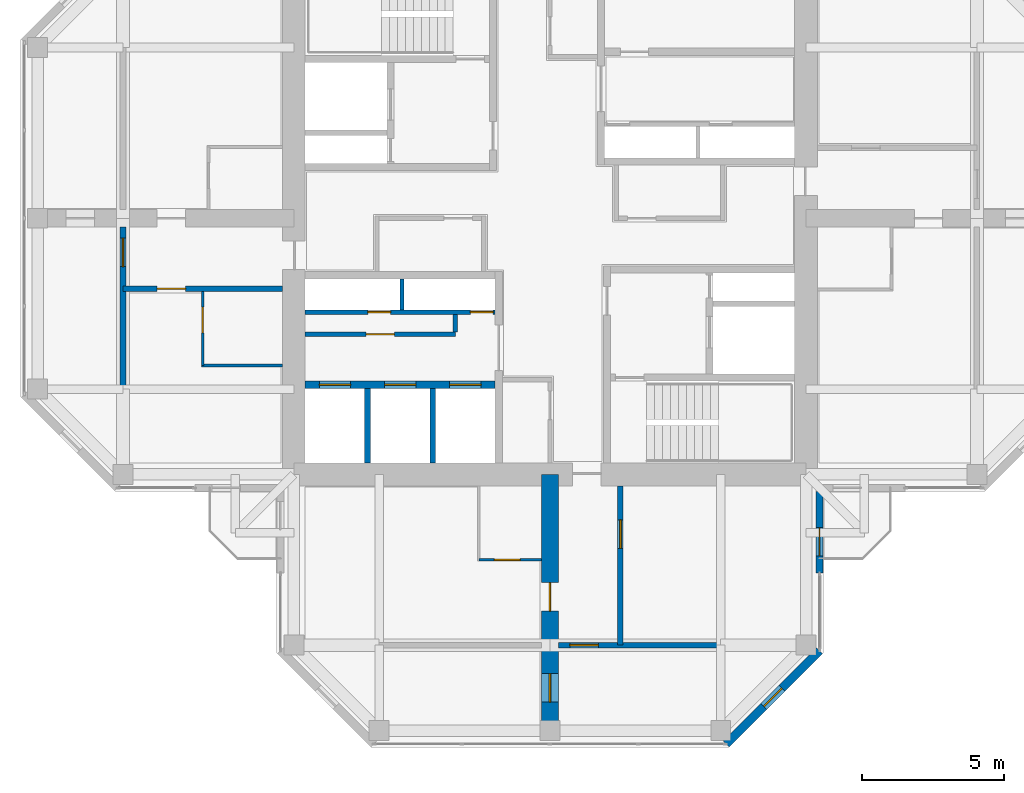
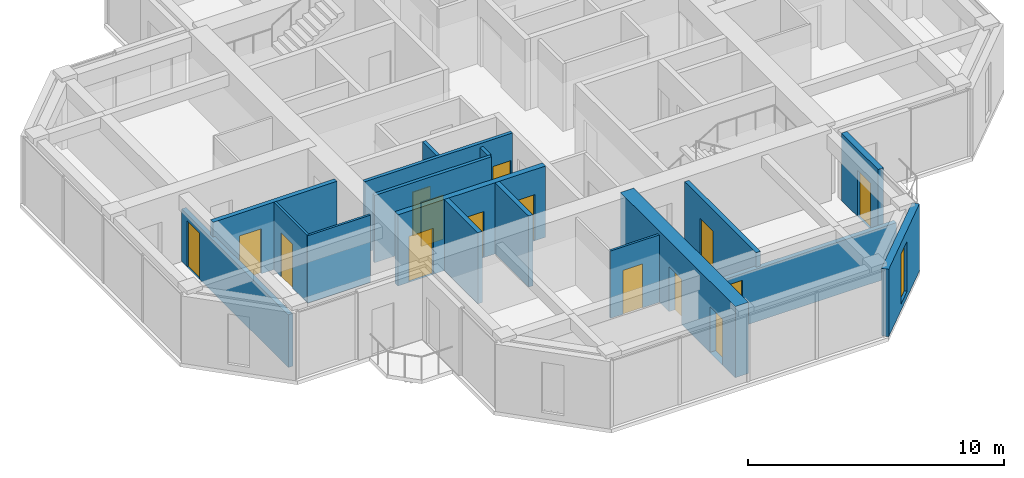
# One storey, part 8 of 13: 17 walls, 15 doors, 1 window, 16 openings.
"""IFC4 building model written with IfcOpenShell, lengths in metres."""

from ifc_helpers import new_model, si_unit, direction, frame, frame_2d, origin, place, context, subcontext, project, spatial, rectangle, hollow_rectangle, extrude, material, layer, layer_set, constituent, constituent_set, type_object, element, fill, save


model = new_model("IFC4")

# Units and contexts
model_context = context("Model", 3, precision=1e-05, world=origin(), true_north=direction((0.0, 1.0)))
body_context = subcontext(model_context, "Body", "Model", "MODEL_VIEW")
ifc_project = project(units=[si_unit("LENGTHUNIT", "METRE"), si_unit("AREAUNIT", "SQUARE_METRE"), si_unit("VOLUMEUNIT", "CUBIC_METRE"), si_unit("PLANEANGLEUNIT", "RADIAN"), si_unit("MASSUNIT", "GRAM", prefix="KILO")], contexts=[model_context])

# Site, building, storey
site_placement = place(None, origin())
site = spatial("IfcSite", under=ifc_project, at=site_placement, CompositionType="ELEMENT")
building_placement = place(site_placement, origin())
building = spatial("IfcBuilding", under=site, at=building_placement, Name="Torre Cruceta", CompositionType="ELEMENT")
storey_placement = place(building_placement, frame((0.0, 0.0, 271.300048828125)))
storey = spatial("IfcBuildingStorey", under=building, at=storey_placement, Name="L70", CompositionType="ELEMENT", Elevation=271.300048828125)

# Wall, opening, door
ifc_material_1 = material(Name="Water-resistant plasterboard on steel studs", Category="steel")
ifc_layer_1 = layer(ifc_material_1, 0.10009765625)
ifc_layer_set_1 = layer_set([ifc_layer_1], Name="Water-resistant plasterboard on steel studs")
wall_type_1 = type_object("IfcWallType", Name="BATHROOM WALL 100", PredefinedType="PARTITIONING", material=ifc_layer_set_1)
wall_1_placement = place(storey_placement, frame((-2.5, -12.0, 0.0), z_axis=(0.0, 0.0, 1.0), x_axis=(1.0, 0.0, 0.0)))
wall_1 = element("IfcWall", 1, at=wall_1_placement, inside=storey, type_object=wall_type_1, Name="PT4 L70-S-U1RBS", PredefinedType="PARTITIONING", context=body_context, shape_type="SweptSolid", body=[
    extrude(rectangle(XDim=2.199951171875, YDim=0.10009765625, at=frame_2d((1.10009765625, 0.0))), origin(), (0.0, 0.0, 1.0), 3.219970703125),
])
opening_1_placement = place(wall_1_placement, frame((0.550048828125, 0.0, 0.0)))
opening_1 = element("IfcOpeningElement", 2, at=opening_1_placement, cuts=wall_1, Name="Opening D7", PredefinedType="OPENING", context=body_context, shape_type="SweptSolid", body=[
    extrude(rectangle(XDim=0.89990234375, YDim=2.10009765625, at=frame_2d((0.449951171875, 1.050048828125))), frame((0.0, 0.06005859375, 0.0), z_axis=(0.0, -1.0, 0.0), x_axis=(1.0, 0.0, 0.0)), (0.0, 0.0, 1.0), 0.1201171875),
])
ifc_material_2 = material(Name="Timber door", Category="wood")
door_type_1 = type_object("IfcDoorType", Name="BATHROOM DOOR 900X2100", OperationType="SINGLE_SWING_LEFT", PredefinedType="DOOR", material=ifc_material_2)
door_1_placement = place(opening_1_placement, origin())
door_1 = element("IfcDoor", 3, at=door_1_placement, inside=storey, type_object=door_type_1, Name="D7 L70-S-U1RBS-D1", OperationType="SINGLE_SWING_LEFT", OverallHeight=2.10009765625, OverallWidth=0.89990234375, PredefinedType="DOOR", context=body_context, shape_type="SweptSolid", body=[
    extrude(rectangle(XDim=0.89990234375, YDim=2.10009765625, at=frame_2d((0.449951171875, 1.050048828125))), frame((0.0, 0.02490234375, 0.0), z_axis=(0.0, -1.0, 0.0), x_axis=(1.0, 0.0, 0.0)), (0.0, 0.0, 1.0), 0.050048828125),
])
fill(opening_1, door_1)

# Wall
wall_2_placement = place(storey_placement, frame((-9.39990234375, -5.175048828125, 0.0), z_axis=(0.0, 0.0, 1.0), x_axis=(-1.0, 0.0, 0.0)))
element("IfcWall", 4, at=wall_2_placement, inside=storey, type_object=wall_type_1, Name="PT4 L70-W-U1LBB", PredefinedType="PARTITIONING", context=body_context, shape_type="SweptSolid", body=[
    extrude(rectangle(XDim=2.85009765625, YDim=0.10009765625, at=frame_2d((1.425048828125, 0.0))), origin(), (0.0, 0.0, 1.0), 3.219970703125),
])

# Wall, opening, door
wall_3_placement = place(storey_placement, frame((-12.199951171875, -2.574951171875, 0.0), z_axis=(0.0, 0.0, 1.0), x_axis=(0.0, -1.0, 0.0)))
wall_3 = element("IfcWall", 5, at=wall_3_placement, inside=storey, type_object=wall_type_1, Name="PT4 L70-W-U1LBS", PredefinedType="PARTITIONING", context=body_context, shape_type="SweptSolid", body=[
    extrude(rectangle(XDim=2.60009765625, YDim=0.10009765625, at=frame_2d((1.300048828125, 0.0))), origin(), (0.0, 0.0, 1.0), 3.219970703125),
])
opening_2_placement = place(wall_3_placement, frame((0.550048828125, 0.0, 0.0)))
opening_2 = element("IfcOpeningElement", 6, at=opening_2_placement, cuts=wall_3, Name="Opening D7", PredefinedType="OPENING", context=body_context, shape_type="SweptSolid", body=[
    extrude(rectangle(XDim=0.89990234375, YDim=2.10009765625, at=frame_2d((0.449951171875, 1.050048828125))), frame((0.0, 0.06005859375, 0.0), z_axis=(0.0, -1.0, 0.0), x_axis=(1.0, 0.0, 0.0)), (0.0, 0.0, 1.0), 0.1201171875),
])
door_2_placement = place(opening_2_placement, origin())
door_2 = element("IfcDoor", 7, at=door_2_placement, inside=storey, type_object=door_type_1, Name="D7 L70-W-U1LBS-D1", OperationType="SINGLE_SWING_LEFT", OverallHeight=2.10009765625, OverallWidth=0.89990234375, PredefinedType="DOOR", context=body_context, shape_type="SweptSolid", body=[
    extrude(rectangle(XDim=0.89990234375, YDim=2.10009765625, at=frame_2d((0.449951171875, 1.050048828125))), frame((0.0, 0.02490234375, 0.0), z_axis=(0.0, -1.0, 0.0), x_axis=(1.0, 0.0, 0.0)), (0.0, 0.0, 1.0), 0.050048828125),
])
fill(opening_2, door_2)

# Wall, openings, doors
ifc_material_3 = material(Name="Concrete G60 (fck 60 MPa)", Category="concrete")
ifc_layer_2 = layer(ifc_material_3, 0.25)
ifc_layer_set_2 = layer_set([ifc_layer_2], Name="Concrete G60 (fck 60 MPa)")
wall_type_2 = type_object("IfcWallType", Name="CORE INNER WALL 250 G60", PredefinedType="SHEAR", material=ifc_layer_set_2)
wall_4_placement = place(storey_placement, frame((-1.925048828125, -5.85009765625, 0.0), z_axis=(0.0, 0.0, 1.0), x_axis=(-1.0, 0.0, 0.0)))
wall_4 = element("IfcWall", 8, at=wall_4_placement, inside=storey, type_object=wall_type_2, Name="CW4 L70 SW-LV", PredefinedType="SHEAR", context=body_context, shape_type="SweptSolid", body=[
    extrude(rectangle(XDim=6.675048828125, YDim=0.25, at=frame_2d((3.33740234375, 0.0))), origin(), (0.0, 0.0, 1.0), 3.39990234375),
])
opening_3_placement = place(wall_4_placement, frame((0.495849609375, 0.0, 0.0)))
opening_3 = element("IfcOpeningElement", 9, at=opening_3_placement, cuts=wall_4, Name="Opening LD1", PredefinedType="OPENING", context=body_context, shape_type="SweptSolid", body=[
    extrude(rectangle(XDim=1.10009765625, YDim=2.199951171875, at=frame_2d((0.550048828125, 1.10009765625))), frame((0.0, 0.135009765625, 0.0), z_axis=(0.0, -1.0, 0.0), x_axis=(1.0, 0.0, 0.0)), (0.0, 0.0, 1.0), 0.27001953125),
])
opening_4_placement = place(wall_4_placement, frame((2.78759765625, 0.0, 0.0)))
opening_4 = element("IfcOpeningElement", 10, at=opening_4_placement, cuts=wall_4, Name="Opening LD1", PredefinedType="OPENING", context=body_context, shape_type="SweptSolid", body=[
    extrude(rectangle(XDim=1.10009765625, YDim=2.199951171875, at=frame_2d((0.550048828125, 1.10009765625))), frame((0.0, 0.135009765625, 0.0), z_axis=(0.0, -1.0, 0.0), x_axis=(1.0, 0.0, 0.0)), (0.0, 0.0, 1.0), 0.27001953125),
])
opening_5_placement = place(wall_4_placement, frame((5.0791015625, 0.0, 0.0)))
opening_5 = element("IfcOpeningElement", 11, at=opening_5_placement, cuts=wall_4, Name="Opening LD1", PredefinedType="OPENING", context=body_context, shape_type="SweptSolid", body=[
    extrude(rectangle(XDim=1.10009765625, YDim=2.199951171875, at=frame_2d((0.550048828125, 1.10009765625))), frame((0.0, 0.135009765625, 0.0), z_axis=(0.0, -1.0, 0.0), x_axis=(1.0, 0.0, 0.0)), (0.0, 0.0, 1.0), 0.27001953125),
])
ifc_material_4 = material(Name="Stainless steel 1.4401", Category="steel")
door_type_2 = type_object("IfcDoorType", Name="LIFT LANDING DOOR 1100X2200", OperationType="DOUBLE_DOOR_SLIDING", PredefinedType="DOOR", material=ifc_material_4)
door_3_placement = place(opening_3_placement, origin())
door_3 = element("IfcDoor", 12, at=door_3_placement, inside=storey, type_object=door_type_2, Name="Lift landing door R1", OperationType="DOUBLE_DOOR_SLIDING", OverallHeight=2.199951171875, OverallWidth=1.10009765625, PredefinedType="DOOR", context=body_context, shape_type="SweptSolid", body=[
    extrude(rectangle(XDim=1.10009765625, YDim=2.199951171875, at=frame_2d((0.550048828125, 1.10009765625))), frame((0.0, 0.02490234375, 0.0), z_axis=(0.0, -1.0, 0.0), x_axis=(1.0, 0.0, 0.0)), (0.0, 0.0, 1.0), 0.050048828125),
])
fill(opening_3, door_3)
door_4_placement = place(opening_4_placement, origin())
door_4 = element("IfcDoor", 13, at=door_4_placement, inside=storey, type_object=door_type_2, Name="Lift landing door R2", OperationType="DOUBLE_DOOR_SLIDING", OverallHeight=2.199951171875, OverallWidth=1.10009765625, PredefinedType="DOOR", context=body_context, shape_type="SweptSolid", body=[
    extrude(rectangle(XDim=1.10009765625, YDim=2.199951171875, at=frame_2d((0.550048828125, 1.10009765625))), frame((0.0, 0.02490234375, 0.0), z_axis=(0.0, -1.0, 0.0), x_axis=(1.0, 0.0, 0.0)), (0.0, 0.0, 1.0), 0.050048828125),
])
fill(opening_4, door_4)
door_5_placement = place(opening_5_placement, origin())
door_5 = element("IfcDoor", 14, at=door_5_placement, inside=storey, type_object=door_type_2, Name="Lift landing door R3", OperationType="DOUBLE_DOOR_SLIDING", OverallHeight=2.199951171875, OverallWidth=1.10009765625, PredefinedType="DOOR", context=body_context, shape_type="SweptSolid", body=[
    extrude(rectangle(XDim=1.10009765625, YDim=2.199951171875, at=frame_2d((0.550048828125, 1.10009765625))), frame((0.0, 0.02490234375, 0.0), z_axis=(0.0, -1.0, 0.0), x_axis=(1.0, 0.0, 0.0)), (0.0, 0.0, 1.0), 0.050048828125),
])
fill(opening_5, door_5)

# Wall, opening, door
ifc_material_5 = material(Name="Concrete G25 (fck 25 MPa)", Category="concrete")
ifc_layer_3 = layer(ifc_material_5, 0.199951171875)
ifc_layer_set_3 = layer_set([ifc_layer_3], Name="Concrete G25 (fck 25 MPa)")
wall_type_3 = type_object("IfcWallType", Name="CORRIDOR WALL 200", PredefinedType="SOLIDWALL", material=ifc_layer_set_3)
wall_5_placement = place(storey_placement, frame((2.47509765625, -9.39990234375, 0.0), z_axis=(0.0, 0.0, 1.0), x_axis=(0.0, -1.0, 0.0)))
wall_5 = element("IfcWall", 15, at=wall_5_placement, inside=storey, type_object=wall_type_3, Name="PT3 L70-S-CL", PredefinedType="SOLIDWALL", context=body_context, shape_type="SweptSolid", body=[
    extrude(rectangle(XDim=5.60009765625, YDim=0.199951171875, at=frame_2d((2.800048828125, 0.0))), origin(), (0.0, 0.0, 1.0), 3.219970703125),
])
opening_6_placement = place(wall_5_placement, frame((1.199951171875, 0.0, 0.0)))
opening_6 = element("IfcOpeningElement", 16, at=opening_6_placement, cuts=wall_5, Name="Opening D14", PredefinedType="OPENING", context=body_context, shape_type="SweptSolid", body=[
    extrude(rectangle(XDim=1.0, YDim=2.199951171875, at=frame_2d((0.5, 1.10009765625))), frame((0.0, 0.10986328125, 0.0), z_axis=(0.0, -1.0, 0.0), x_axis=(1.0, 0.0, 0.0)), (0.0, 0.0, 1.0), 0.219970703125),
])
ifc_material_6 = material(Name="Steel DX51D", Category="steel")
ifc_constituent_1 = constituent(ifc_material_6, Name="Leaf and frame")
ifc_material_7 = material(Name="Polyester powder coating", Category="paint")
ifc_constituent_2 = constituent(ifc_material_7, Name="Finish")
ifc_material_8 = material(Name="Fire-resisting glass", Category="glass")
ifc_constituent_3 = constituent(ifc_material_8, Name="Vision panel")
ifc_constituent_set_1 = constituent_set(constituents=[ifc_constituent_1, ifc_constituent_2, ifc_constituent_3], Name="Steel fire door with vision panel")
door_type_3 = type_object("IfcDoorType", Name="FIRE DOOR VISION PANEL 1000X2200", OperationType="SINGLE_SWING_RIGHT", PredefinedType="DOOR", material=ifc_constituent_set_1)
door_6_placement = place(opening_6_placement, origin())
door_6 = element("IfcDoor", 17, at=door_6_placement, inside=storey, type_object=door_type_3, Name="D14 L70-S-CL-D1", OperationType="SINGLE_SWING_LEFT", OverallHeight=2.199951171875, OverallWidth=1.0, PredefinedType="DOOR", context=body_context, shape_type="SweptSolid", body=[
    extrude(rectangle(XDim=1.0, YDim=2.199951171875, at=frame_2d((0.5, 1.10009765625))), frame((0.0, 0.02490234375, 0.0), z_axis=(0.0, -1.0, 0.0), x_axis=(1.0, 0.0, 0.0)), (0.0, 0.0, 1.0), 0.050048828125),
])
fill(opening_6, door_6)

wall_6_placement = place(storey_placement, frame((-9.39990234375, -2.47509765625, 0.0), z_axis=(0.0, 0.0, 1.0), x_axis=(-1.0, 0.0, 0.0)))
wall_6 = element("IfcWall", 18, at=wall_6_placement, inside=storey, type_object=wall_type_3, Name="PT3 L70-W-CL", PredefinedType="SOLIDWALL", context=body_context, shape_type="SweptSolid", body=[
    extrude(rectangle(XDim=5.60009765625, YDim=0.199951171875, at=frame_2d((2.800048828125, 0.0))), origin(), (0.0, 0.0, 1.0), 3.219970703125),
])
opening_7_placement = place(wall_6_placement, frame((3.39990234375, 0.0, 0.0)))
opening_7 = element("IfcOpeningElement", 19, at=opening_7_placement, cuts=wall_6, Name="Opening D6", PredefinedType="OPENING", context=body_context, shape_type="SweptSolid", body=[
    extrude(rectangle(XDim=1.0, YDim=2.14990234375, at=frame_2d((0.5, 1.074951171875))), frame((0.0, 0.10986328125, 0.0), z_axis=(0.0, -1.0, 0.0), x_axis=(1.0, 0.0, 0.0)), (0.0, 0.0, 1.0), 0.219970703125),
])
ifc_material_9 = material(Name="Timber fire door", Category="wood")
door_type_4 = type_object("IfcDoorType", Name="UNIT ENTRANCE DOOR 1000X2150", OperationType="SINGLE_SWING_LEFT", PredefinedType="DOOR", material=ifc_material_9)
door_7_placement = place(opening_7_placement, origin())
door_7 = element("IfcDoor", 20, at=door_7_placement, inside=storey, type_object=door_type_4, Name="D6 L70-W-CL-D1", OperationType="SINGLE_SWING_LEFT", OverallHeight=2.14990234375, OverallWidth=1.0, PredefinedType="DOOR", context=body_context, shape_type="SweptSolid", body=[
    extrude(rectangle(XDim=1.0, YDim=2.14990234375, at=frame_2d((0.5, 1.074951171875))), frame((0.0, 0.02490234375, 0.0), z_axis=(0.0, -1.0, 0.0), x_axis=(1.0, 0.0, 0.0)), (0.0, 0.0, 1.0), 0.050048828125),
])
fill(opening_7, door_7)

# Wall, opening, window
ifc_material_10 = material(Name="Concrete G30 (fck 30 MPa)", Category="concrete")
ifc_layer_4 = layer(ifc_material_10, 0.300048828125)
ifc_layer_set_4 = layer_set([ifc_layer_4], Name="Concrete G30 (fck 30 MPa)")
wall_type_4 = type_object("IfcWallType", Name="EXPOSED CONCRETE FACADE WALL 300", PredefinedType="SOLIDWALL", material=ifc_layer_set_4)
wall_7_placement = place(storey_placement, frame((6.194580078125, -18.469970703125, 0.0), z_axis=(0.0, 0.0, 1.0), x_axis=(0.707106781187, 0.707106781187, 0.0)))
wall_7 = element("IfcWall", 21, at=wall_7_placement, inside=storey, type_object=wall_type_4, Name="EW1 facade wall L70 S chamfer 18", PredefinedType="SOLIDWALL", context=body_context, shape_type="SweptSolid", body=[
    extrude(rectangle(XDim=4.632080078125, YDim=0.300048828125, at=frame_2d((2.31591796875, 0.0))), origin(), (0.0, 0.0, 1.0), 3.219970703125),
])
opening_8_placement = place(wall_7_placement, frame((1.865966796875, 0.0, 0.300048828125)))
opening_8 = element("IfcOpeningElement", 22, at=opening_8_placement, cuts=wall_7, Name="Opening WN5", PredefinedType="OPENING", context=body_context, shape_type="SweptSolid", body=[
    extrude(rectangle(XDim=0.89990234375, YDim=2.39990234375, at=frame_2d((0.449951171875, 1.199951171875))), frame((0.0, 0.159912109375, 0.0), z_axis=(0.0, -1.0, 0.0), x_axis=(1.0, 0.0, 0.0)), (0.0, 0.0, 1.0), 0.320068359375),
])
ifc_material_11 = material(Name="Aluminium window frame", Category="aluminium")
ifc_constituent_4 = constituent(ifc_material_11, Name="Frame")
ifc_material_12 = material(Name="Laminated insulating glass unit, low-iron clear", Category="glass")
ifc_constituent_5 = constituent(ifc_material_12, Name="Glazing")
ifc_constituent_set_2 = constituent_set(constituents=[ifc_constituent_4, ifc_constituent_5], Name="Aluminium window")
window_type = type_object("IfcWindowType", Name="CHAMFER SLOT WINDOW 900X2400", PartitioningType="SINGLE_PANEL", PredefinedType="WINDOW", material=ifc_constituent_set_2)
window_placement = place(opening_8_placement, origin())
window = element("IfcWindow", 23, at=window_placement, inside=storey, type_object=window_type, Name="WN5 L70 S 1", OverallHeight=2.39990234375, OverallWidth=0.89990234375, PartitioningType="SINGLE_PANEL", PredefinedType="WINDOW", context=body_context, shape_type="SweptSolid", body=[
    extrude(hollow_rectangle(XDim=0.89990234375, YDim=2.39990234375, WallThickness=0.06005859375, at=frame_2d((0.449951171875, 1.199951171875))), frame((0.0, 0.030029296875, 0.0), z_axis=(0.0, -1.0, 0.0), x_axis=(1.0, 0.0, 0.0)), (0.0, 0.0, 1.0), 0.06005859375),
    extrude(rectangle(XDim=0.77880859375, YDim=2.27880859375, at=frame_2d((0.449951171875, 1.199951171875))), frame((0.0, 0.030029296875, 0.0), z_axis=(0.0, -1.0, 0.0), x_axis=(1.0, 0.0, 0.0)), (0.0, 0.0, 1.0), 0.06005859375),
])
fill(opening_8, window)

# Walls
ifc_material_13 = material(Name="Concrete G35 (fck 35 MPa)", Category="concrete")
ifc_layer_5 = layer(ifc_material_13, 0.199951171875)
ifc_layer_set_5 = layer_set([ifc_layer_5], Name="Concrete G35 (fck 35 MPa)")
wall_type_5 = type_object("IfcWallType", Name="LIFT SHAFT WALL 200", PredefinedType="PARTITIONING", material=ifc_layer_set_5)
for number, where, z_axis, x_axis, name in (
    (24, (-4.11669921875, -5.97509765625, 0.0), (0.0, 0.0, 1.0), (0.0, -1.0, 0.0), "SW1 L70 SW-LS1"),
    (25, (-6.408447265625, -5.97509765625, 0.0), (0.0, 0.0, 1.0), (0.0, -1.0, 0.0), "SW1 L70 SW-LS2"),
):
    element("IfcWall", number, at=place(storey_placement, frame(where, z_axis=z_axis, x_axis=x_axis)), inside=storey, type_object=wall_type_5, Name=name, PredefinedType="PARTITIONING", context=body_context, shape_type="SweptSolid", body=[
        extrude(rectangle(XDim=2.625, YDim=0.199951171875, at=frame_2d((1.3125, 0.0))), origin(), (0.0, 0.0, 1.0), 3.39990234375),
    ])

# Wall, opening, door
ifc_material_14 = material(Name="Plasterboard on steel studs", Category="steel")
ifc_layer_6 = layer(ifc_material_14, 0.14990234375)
ifc_layer_set_6 = layer_set([ifc_layer_6], Name="Plasterboard on steel studs")
wall_type_6 = type_object("IfcWallType", Name="PARTITION 150", PredefinedType="PARTITIONING", material=ifc_layer_set_6)
wall_8_placement = place(storey_placement, frame((-3.324951171875, -4.074951171875, 0.0), z_axis=(0.0, 0.0, 1.0), x_axis=(-1.0, 0.0, 0.0)))
wall_8 = element("IfcWall", 26, at=wall_8_placement, inside=storey, type_object=wall_type_6, Name="PT1 L70-CORE-SW-CUPBOARD", PredefinedType="PARTITIONING", context=body_context, shape_type="SweptSolid", body=[
    extrude(rectangle(XDim=5.275146484375, YDim=0.14990234375, at=frame_2d((2.6376953125, 0.0))), origin(), (0.0, 0.0, 1.0), 3.219970703125),
])
opening_9_placement = place(wall_8_placement, frame((2.137451171875, 0.0, 0.0)))
opening_9 = element("IfcOpeningElement", 27, at=opening_9_placement, cuts=wall_8, Name="Opening D19", PredefinedType="OPENING", context=body_context, shape_type="SweptSolid", body=[
    extrude(rectangle(XDim=1.0, YDim=2.10009765625, at=frame_2d((0.5, 1.050048828125))), frame((0.0, 0.0849609375, 0.0), z_axis=(0.0, -1.0, 0.0), x_axis=(1.0, 0.0, 0.0)), (0.0, 0.0, 1.0), 0.169921875),
])
ifc_material_15 = material(Name="Timber fire door", Category="wood")
door_type_5 = type_object("IfcDoorType", Name="CUPBOARD PAIR OF DOORS 1000X2100", OperationType="DOUBLE_DOOR_SINGLE_SWING", PredefinedType="DOOR", material=ifc_material_15)
door_8_placement = place(opening_9_placement, frame((1.0, 0.0, 0.0), z_axis=(0.0, 0.0, 1.0), x_axis=(-1.0, 0.0, 0.0)))
door_8 = element("IfcDoor", 28, at=door_8_placement, inside=storey, type_object=door_type_5, Name="D19 L70-CORE-SW-CUPBOARD-D1", OperationType="DOUBLE_DOOR_SINGLE_SWING", OverallHeight=2.10009765625, OverallWidth=1.0, PredefinedType="DOOR", context=body_context, shape_type="SweptSolid", body=[
    extrude(rectangle(XDim=1.0, YDim=2.10009765625, at=frame_2d((0.5, 1.050048828125))), frame((0.0, 0.025146484375, 0.0), z_axis=(0.0, -1.0, 0.0), x_axis=(1.0, 0.0, 0.0)), (0.0, 0.0, 1.0), 0.050048828125),
])
fill(opening_9, door_8)

# Wall
wall_9_placement = place(storey_placement, frame((-3.324951171875, -3.375, 0.0), z_axis=(0.0, 0.0, 1.0), x_axis=(0.0, -1.0, 0.0)))
element("IfcWall", 29, at=wall_9_placement, inside=storey, type_object=wall_type_6, Name="PT1 L70-CORE-SW-CUPBOARDE", PredefinedType="PARTITIONING", context=body_context, shape_type="SweptSolid", body=[
    extrude(rectangle(XDim=0.625, YDim=0.14990234375, at=frame_2d((0.3125, 0.0))), origin(), (0.0, 0.0, 1.0), 3.219970703125),
])

# Wall, openings, doors
ifc_material_16 = material(Name="Concrete block masonry", Category="masonry")
ifc_layer_7 = layer(ifc_material_16, 0.14990234375)
ifc_layer_set_7 = layer_set([ifc_layer_7], Name="Concrete block masonry")
wall_type_7 = type_object("IfcWallType", Name="RISER WALL 150", PredefinedType="PARTITIONING", material=ifc_layer_set_7)
wall_10_placement = place(storey_placement, frame((-1.925048828125, -3.300048828125, 0.0), z_axis=(0.0, 0.0, 1.0), x_axis=(-1.0, 0.0, 0.0)))
wall_10 = element("IfcWall", 30, at=wall_10_placement, inside=storey, type_object=wall_type_7, Name="SW7 L70 SW-RV", PredefinedType="PARTITIONING", context=body_context, shape_type="SweptSolid", body=[
    extrude(rectangle(XDim=6.675048828125, YDim=0.14990234375, at=frame_2d((3.33740234375, 0.0))), origin(), (0.0, 0.0, 1.0), 3.39990234375),
])
opening_10_placement = place(wall_10_placement, frame((0.074951171875, 0.0, 0.0)))
opening_10 = element("IfcOpeningElement", 31, at=opening_10_placement, cuts=wall_10, Name="Opening D5", PredefinedType="OPENING", context=body_context, shape_type="SweptSolid", body=[
    extrude(rectangle(XDim=0.800048828125, YDim=2.10009765625, at=frame_2d((0.39990234375, 1.050048828125))), frame((0.0, 0.0849609375, 0.0), z_axis=(0.0, -1.0, 0.0), x_axis=(1.0, 0.0, 0.0)), (0.0, 0.0, 1.0), 0.169921875),
])
opening_11_placement = place(wall_10_placement, frame((3.675048828125, 0.0, 0.0)))
opening_11 = element("IfcOpeningElement", 32, at=opening_11_placement, cuts=wall_10, Name="Opening D5", PredefinedType="OPENING", context=body_context, shape_type="SweptSolid", body=[
    extrude(rectangle(XDim=0.800048828125, YDim=2.10009765625, at=frame_2d((0.39990234375, 1.050048828125))), frame((0.0, 0.0849609375, 0.0), z_axis=(0.0, -1.0, 0.0), x_axis=(1.0, 0.0, 0.0)), (0.0, 0.0, 1.0), 0.169921875),
])
ifc_material_17 = material(Name="Steel DX51D", Category="steel")
ifc_constituent_6 = constituent(ifc_material_17, Name="Leaf and frame")
ifc_material_18 = material(Name="Polyester powder coating", Category="paint")
ifc_constituent_7 = constituent(ifc_material_18, Name="Finish")
ifc_constituent_set_3 = constituent_set(constituents=[ifc_constituent_6, ifc_constituent_7], Name="Steel fire door")
door_type_6 = type_object("IfcDoorType", Name="RISER ACCESS DOOR 800X2100", OperationType="SINGLE_SWING_LEFT", PredefinedType="DOOR", material=ifc_constituent_set_3)
door_9_placement = place(opening_10_placement, frame((0.800048828125, 0.0, 0.0), z_axis=(0.0, 0.0, 1.0), x_axis=(-1.0, 0.0, 0.0)))
door_9 = element("IfcDoor", 33, at=door_9_placement, inside=storey, type_object=door_type_6, Name="D5 L70 SW-RISER1", OperationType="SINGLE_SWING_RIGHT", OverallHeight=2.10009765625, OverallWidth=0.800048828125, PredefinedType="DOOR", context=body_context, shape_type="SweptSolid", body=[
    extrude(rectangle(XDim=0.800048828125, YDim=2.10009765625, at=frame_2d((0.400146484375, 1.050048828125))), frame((0.0, 0.025146484375, 0.0), z_axis=(0.0, -1.0, 0.0), x_axis=(1.0, 0.0, 0.0)), (0.0, 0.0, 1.0), 0.050048828125),
])
fill(opening_10, door_9)
door_10_placement = place(opening_11_placement, frame((0.800048828125, 0.0, 0.0), z_axis=(0.0, 0.0, 1.0), x_axis=(-1.0, 0.0, 0.0)))
door_10 = element("IfcDoor", 34, at=door_10_placement, inside=storey, type_object=door_type_6, Name="D5 L70 SW-RISER2", OperationType="SINGLE_SWING_RIGHT", OverallHeight=2.10009765625, OverallWidth=0.800048828125, PredefinedType="DOOR", context=body_context, shape_type="SweptSolid", body=[
    extrude(rectangle(XDim=0.800048828125, YDim=2.10009765625, at=frame_2d((0.400146484375, 1.050048828125))), frame((0.0, 0.025146484375, 0.0), z_axis=(0.0, -1.0, 0.0), x_axis=(1.0, 0.0, 0.0)), (0.0, 0.0, 1.0), 0.050048828125),
])
fill(opening_11, door_10)

# Wall
wall_11_placement = place(storey_placement, frame((-5.199951171875, -2.125, 0.0), z_axis=(0.0, 0.0, 1.0), x_axis=(0.0, -1.0, 0.0)))
element("IfcWall", 35, at=wall_11_placement, inside=storey, type_object=wall_type_7, Name="SW7 L70 SW-RU", PredefinedType="PARTITIONING", context=body_context, shape_type="SweptSolid", body=[
    extrude(rectangle(XDim=1.10009765625, YDim=0.14990234375, at=frame_2d((0.550048828125, 0.0))), origin(), (0.0, 0.0, 1.0), 3.39990234375),
])

# Wall, openings, doors
ifc_material_19 = material(Name="Concrete G60 (fck 60 MPa)", Category="concrete")
ifc_layer_8 = layer(ifc_material_19, 0.60009765625)
ifc_layer_set_8 = layer_set([ifc_layer_8], Name="Concrete G60 (fck 60 MPa)")
wall_type_8 = type_object("IfcWallType", Name="SPINE WALL 600 G60", PredefinedType="SHEAR", material=ifc_layer_set_8)
wall_12_placement = place(storey_placement, frame((0.0, -9.0, 0.0), z_axis=(0.0, 0.0, 1.0), x_axis=(0.0, -1.0, 0.0)))
wall_12 = element("IfcWall", 36, at=wall_12_placement, inside=storey, type_object=wall_type_8, Name="SW5 spine wall L70 S", PredefinedType="SHEAR", context=body_context, shape_type="SweptSolid", body=[
    extrude(rectangle(XDim=9.0, YDim=0.60009765625, at=frame_2d((4.5, 0.0))), origin(), (0.0, 0.0, 1.0), 3.39990234375),
])
opening_12_placement = place(wall_12_placement, frame((3.800048828125, 0.0, 0.0)))
opening_12 = element("IfcOpeningElement", 37, at=opening_12_placement, cuts=wall_12, Name="Opening D6", PredefinedType="OPENING", context=body_context, shape_type="SweptSolid", body=[
    extrude(rectangle(XDim=1.0, YDim=2.14990234375, at=frame_2d((0.5, 1.074951171875))), frame((0.0, 0.31005859375, 0.0), z_axis=(0.0, -1.0, 0.0), x_axis=(1.0, 0.0, 0.0)), (0.0, 0.0, 1.0), 0.6201171875),
])
opening_13_placement = place(wall_12_placement, frame((7.0, 0.0, 0.0)))
opening_13 = element("IfcOpeningElement", 38, at=opening_13_placement, cuts=wall_12, Name="Opening D14", PredefinedType="OPENING", context=body_context, shape_type="SweptSolid", body=[
    extrude(rectangle(XDim=1.0, YDim=2.199951171875, at=frame_2d((0.5, 1.10009765625))), frame((0.0, 0.31005859375, 0.0), z_axis=(0.0, -1.0, 0.0), x_axis=(1.0, 0.0, 0.0)), (0.0, 0.0, 1.0), 0.6201171875),
])
door_11_placement = place(opening_13_placement, origin())
door_11 = element("IfcDoor", 39, at=door_11_placement, inside=storey, type_object=door_type_3, Name="D14 L70-S-SP2", OperationType="SINGLE_SWING_LEFT", OverallHeight=2.199951171875, OverallWidth=1.0, PredefinedType="DOOR", context=body_context, shape_type="SweptSolid", body=[
    extrude(rectangle(XDim=1.0, YDim=2.199951171875, at=frame_2d((0.5, 1.10009765625))), frame((0.0, 0.02490234375, 0.0), z_axis=(0.0, -1.0, 0.0), x_axis=(1.0, 0.0, 0.0)), (0.0, 0.0, 1.0), 0.050048828125),
])
fill(opening_13, door_11)
door_12_placement = place(opening_12_placement, frame((1.0, 0.0, 0.0), z_axis=(0.0, 0.0, 1.0), x_axis=(-1.0, 0.0, 0.0)))
door_12 = element("IfcDoor", 40, at=door_12_placement, inside=storey, type_object=door_type_4, Name="D6 L70-S-SP1", OperationType="SINGLE_SWING_RIGHT", OverallHeight=2.14990234375, OverallWidth=1.0, PredefinedType="DOOR", context=body_context, shape_type="SweptSolid", body=[
    extrude(rectangle(XDim=1.0, YDim=2.14990234375, at=frame_2d((0.5, 1.074951171875))), frame((0.0, 0.025146484375, 0.0), z_axis=(0.0, -1.0, 0.0), x_axis=(1.0, 0.0, 0.0)), (0.0, 0.0, 1.0), 0.050048828125),
])
fill(opening_12, door_12)

# Wall, opening, door
ifc_material_20 = material(Name="Concrete G25 (fck 25 MPa)", Category="concrete")
ifc_layer_9 = layer(ifc_material_20, 0.199951171875)
ifc_layer_set_9 = layer_set([ifc_layer_9], Name="Concrete G25 (fck 25 MPa)")
wall_type_9 = type_object("IfcWallType", Name="UNIT SEPARATING WALL 200", PredefinedType="SOLIDWALL", material=ifc_layer_set_9)
wall_13_placement = place(storey_placement, frame((0.300048828125, -15.0, 0.0), z_axis=(0.0, 0.0, 1.0), x_axis=(1.0, 0.0, 0.0)))
wall_13 = element("IfcWall", 41, at=wall_13_placement, inside=storey, type_object=wall_type_9, Name="PT2 L70-S-ENDb", PredefinedType="SOLIDWALL", context=body_context, shape_type="SweptSolid", body=[
    extrude(rectangle(XDim=8.349853515625, YDim=0.199951171875, at=frame_2d((4.1748046875, 0.0))), origin(), (0.0, 0.0, 1.0), 2.52001953125),
])
opening_14_placement = place(wall_13_placement, frame((0.39990234375, 0.0, 0.0)))
opening_14 = element("IfcOpeningElement", 42, at=opening_14_placement, cuts=wall_13, Name="Opening D14", PredefinedType="OPENING", context=body_context, shape_type="SweptSolid", body=[
    extrude(rectangle(XDim=1.0, YDim=2.199951171875, at=frame_2d((0.5, 1.10009765625))), frame((0.0, 0.10986328125, 0.0), z_axis=(0.0, -1.0, 0.0), x_axis=(1.0, 0.0, 0.0)), (0.0, 0.0, 1.0), 0.219970703125),
])
door_13_placement = place(opening_14_placement, frame((1.0, 0.0, 0.0), z_axis=(0.0, 0.0, 1.0), x_axis=(-1.0, 0.0, 0.0)))
door_13 = element("IfcDoor", 43, at=door_13_placement, inside=storey, type_object=door_type_3, Name="D14 L70-S-ENDb-D1", OperationType="SINGLE_SWING_LEFT", OverallHeight=2.199951171875, OverallWidth=1.0, PredefinedType="DOOR", context=body_context, shape_type="SweptSolid", body=[
    extrude(rectangle(XDim=1.0, YDim=2.199951171875, at=frame_2d((0.5, 1.10009765625))), frame((0.0, 0.025146484375, 0.0), z_axis=(0.0, -1.0, 0.0), x_axis=(1.0, 0.0, 0.0)), (0.0, 0.0, 1.0), 0.050048828125),
])
fill(opening_14, door_13)

wall_14_placement = place(storey_placement, frame((-15.0, -0.300048828125, 0.0), z_axis=(0.0, 0.0, 1.0), x_axis=(0.0, -1.0, 0.0)))
wall_14 = element("IfcWall", 44, at=wall_14_placement, inside=storey, type_object=wall_type_9, Name="PT2 L70-W-ENDb", PredefinedType="SOLIDWALL", context=body_context, shape_type="SweptSolid", body=[
    extrude(rectangle(XDim=8.349853515625, YDim=0.199951171875, at=frame_2d((4.1748046875, 0.0))), origin(), (0.0, 0.0, 1.0), 2.52001953125),
])
opening_15_placement = place(wall_14_placement, frame((0.39990234375, 0.0, 0.0)))
opening_15 = element("IfcOpeningElement", 45, at=opening_15_placement, cuts=wall_14, Name="Opening D14", PredefinedType="OPENING", context=body_context, shape_type="SweptSolid", body=[
    extrude(rectangle(XDim=1.0, YDim=2.199951171875, at=frame_2d((0.5, 1.10009765625))), frame((0.0, 0.10986328125, 0.0), z_axis=(0.0, -1.0, 0.0), x_axis=(1.0, 0.0, 0.0)), (0.0, 0.0, 1.0), 0.219970703125),
])
door_14_placement = place(opening_15_placement, frame((1.0, 0.0, 0.0), z_axis=(0.0, 0.0, 1.0), x_axis=(-1.0, 0.0, 0.0)))
door_14 = element("IfcDoor", 46, at=door_14_placement, inside=storey, type_object=door_type_3, Name="D14 L70-W-ENDb-D1", OperationType="SINGLE_SWING_LEFT", OverallHeight=2.199951171875, OverallWidth=1.0, PredefinedType="DOOR", context=body_context, shape_type="SweptSolid", body=[
    extrude(rectangle(XDim=1.0, YDim=2.199951171875, at=frame_2d((0.5, 1.10009765625))), frame((0.0, 0.025146484375, 0.0), z_axis=(0.0, -1.0, 0.0), x_axis=(1.0, 0.0, 0.0)), (0.0, 0.0, 1.0), 0.050048828125),
])
fill(opening_15, door_14)

ifc_material_21 = material(Name="Concrete G30 (fck 30 MPa)", Category="concrete")
ifc_layer_10 = layer(ifc_material_21, 0.25)
ifc_layer_set_10 = layer_set([ifc_layer_10], Name="Concrete G30 (fck 30 MPa)")
wall_type_10 = type_object("IfcWallType", Name="WINTER GARDEN WALL 250", PredefinedType="SOLIDWALL", material=ifc_layer_set_10)
wall_15_placement = place(storey_placement, frame((9.469970703125, -12.469970703125, 0.0), z_axis=(0.0, 0.0, 1.0), x_axis=(0.0, 1.0, 0.0)))
wall_15 = element("IfcWall", 47, at=wall_15_placement, inside=storey, type_object=wall_type_10, Name="EW2 winter garden wall L70 19", PredefinedType="SOLIDWALL", context=body_context, shape_type="SweptSolid", body=[
    extrude(rectangle(XDim=2.875, YDim=0.25, at=frame_2d((1.4375, 0.0))), origin(), (0.0, 0.0, 1.0), 3.219970703125),
])
opening_16_placement = place(wall_15_placement, frame((0.60009765625, 0.0, 0.0)))
opening_16 = element("IfcOpeningElement", 48, at=opening_16_placement, cuts=wall_15, Name="Opening D10", PredefinedType="OPENING", context=body_context, shape_type="SweptSolid", body=[
    extrude(rectangle(XDim=1.0, YDim=2.199951171875, at=frame_2d((0.5, 1.10009765625))), frame((0.0, 0.135009765625, 0.0), z_axis=(0.0, -1.0, 0.0), x_axis=(1.0, 0.0, 0.0)), (0.0, 0.0, 1.0), 0.27001953125),
])
ifc_material_22 = material(Name="Aluminium door frame", Category="aluminium")
ifc_constituent_8 = constituent(ifc_material_22, Name="Frame")
ifc_material_23 = material(Name="Laminated safety glass", Category="glass")
ifc_constituent_9 = constituent(ifc_material_23, Name="Glazing")
ifc_constituent_set_4 = constituent_set(constituents=[ifc_constituent_8, ifc_constituent_9], Name="Aluminium glazed door")
door_type_7 = type_object("IfcDoorType", Name="BALCONY DOOR 1000X2200", OperationType="SINGLE_SWING_RIGHT", PredefinedType="DOOR", material=ifc_constituent_set_4)
door_15_placement = place(opening_16_placement, origin())
door_15 = element("IfcDoor", 49, at=door_15_placement, inside=storey, type_object=door_type_7, Name="D10 balcony door L70 19", OperationType="SINGLE_SWING_RIGHT", OverallHeight=2.199951171875, OverallWidth=1.0, PredefinedType="DOOR", context=body_context, shape_type="SweptSolid", body=[
    extrude(hollow_rectangle(XDim=1.0, YDim=2.199951171875, WallThickness=0.06005859375, at=frame_2d((0.5, 1.10009765625))), frame((0.0, 0.02490234375, 0.0), z_axis=(0.0, -1.0, 0.0), x_axis=(1.0, 0.0, 0.0)), (0.0, 0.0, 1.0), 0.050048828125),
    extrude(rectangle(XDim=0.87890625, YDim=2.078857421875, at=frame_2d((0.5, 1.10009765625))), frame((0.0, 0.02490234375, 0.0), z_axis=(0.0, -1.0, 0.0), x_axis=(1.0, 0.0, 0.0)), (0.0, 0.0, 1.0), 0.050048828125),
])
fill(opening_16, door_15)

save(model, "model.ifc")
